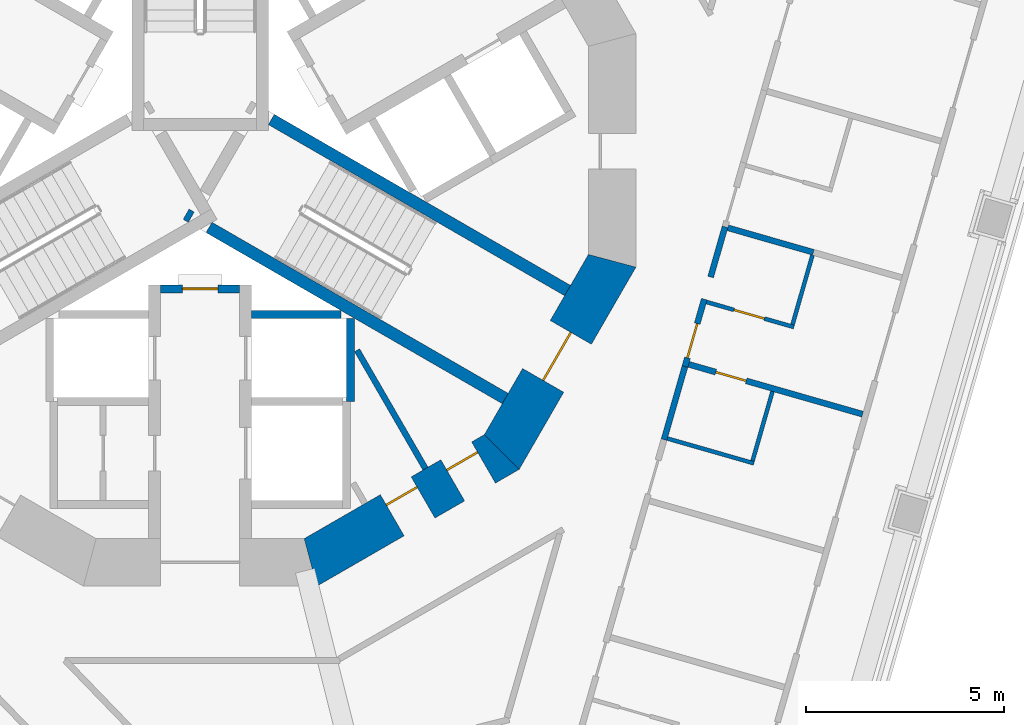
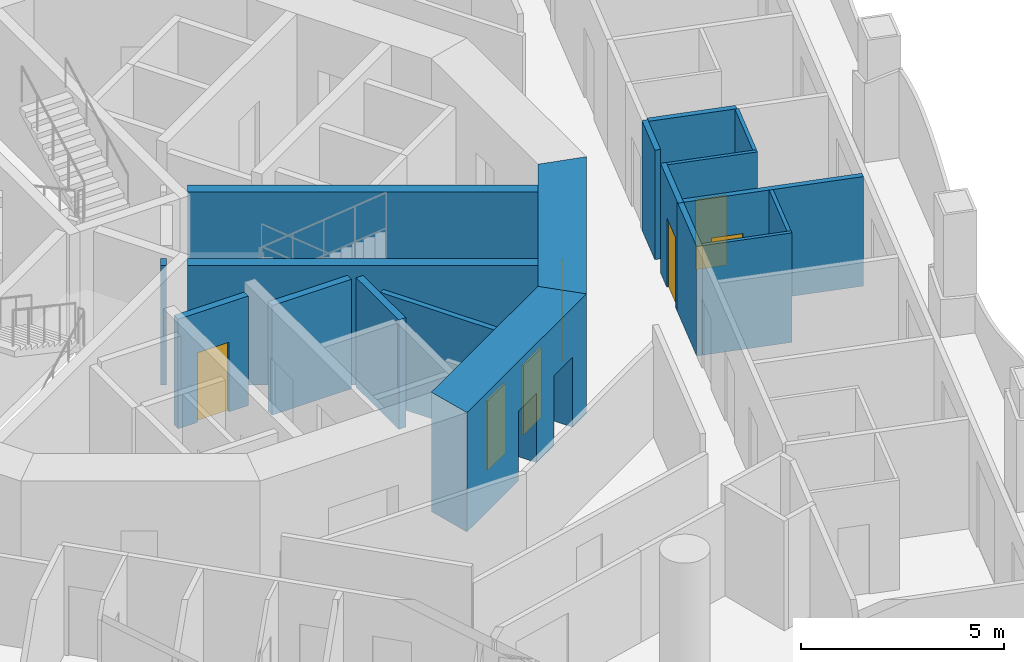
# One storey, part 5 of 20: 18 walls, 7 doors, 7 openings.
"""IFC4 building model written with IfcOpenShell, lengths in metres."""

from ifc_helpers import new_model, si_unit, direction, frame, frame_2d, origin, place, context, subcontext, project, spatial, polyline, rectangle, outline, extrude, material, layer, layer_set, type_object, element, fill, save


model = new_model("IFC4")

# Units and contexts
model_context = context("Model", 3, precision=1e-05, world=origin(), true_north=direction((0.0, 1.0)))
body_context = subcontext(model_context, "Body", "Model", "MODEL_VIEW")
ifc_project = project(units=[si_unit("LENGTHUNIT", "METRE"), si_unit("AREAUNIT", "SQUARE_METRE"), si_unit("VOLUMEUNIT", "CUBIC_METRE"), si_unit("PLANEANGLEUNIT", "RADIAN"), si_unit("MASSUNIT", "GRAM", prefix="KILO")], contexts=[model_context])

# Site, building, storey
site_placement = place(None, origin())
site = spatial("IfcSite", under=ifc_project, at=site_placement, CompositionType="ELEMENT")
building_placement = place(site_placement, origin())
building = spatial("IfcBuilding", under=site, at=building_placement, Name="Trine Commons Tower", CompositionType="ELEMENT")
storey_placement = place(building_placement, frame((0.0, 0.0, 101.699951171875)))
storey = spatial("IfcBuildingStorey", under=building, at=storey_placement, Name="L25", CompositionType="ELEMENT", Elevation=101.699951171875)

# Wall
ifc_material_1 = material(Name="Plasterboard partition on steel studs", Category="steel")
ifc_layer_1 = layer(ifc_material_1, 0.14990234375)
ifc_layer_set_1 = layer_set([ifc_layer_1], Name="Plasterboard partition on steel studs")
wall_type_1 = type_object("IfcWallType", Name="Core room partition 150 mm, EI 60", PredefinedType="PARTITIONING", material=ifc_layer_set_1)
wall_1_placement = place(storey_placement, frame((85.693115234375, 54.4580078125, 0.0), z_axis=(0.0, 0.0, 1.0), x_axis=(-0.500258757272, 0.865875958653, 0.0)))
element("IfcWall", 1, at=wall_1_placement, inside=storey, type_object=wall_type_1, Name="Core room partition L25", PredefinedType="PARTITIONING", context=body_context, shape_type="SweptSolid", body=[
    extrude(rectangle(XDim=3.454345703125, YDim=0.14990234375, at=frame_2d((1.72705078125, 0.0))), origin(), (0.0, 0.0, 1.0), 3.300048828125),
])

# Wall, opening, door
ifc_material_2 = material(Name="Fire-rated gypsum shaft wall system")
ifc_layer_2 = layer(ifc_material_2, 0.199951171875)
ifc_layer_set_2 = layer_set([ifc_layer_2], Name="Fire-rated gypsum shaft wall system")
wall_type_2 = type_object("IfcWallType", Name="Lobby end wall 200 mm, EI 120", PredefinedType="PARTITIONING", material=ifc_layer_set_2)
wall_2_placement = place(storey_placement, frame((79.0, 59.0, 0.0), z_axis=(0.0, 0.0, 1.0), x_axis=(1.0, 0.0, 0.0)))
wall_2 = element("IfcWall", 2, at=wall_2_placement, inside=storey, type_object=wall_type_2, Name="Lobby end wall L25", PredefinedType="PARTITIONING", context=body_context, shape_type="SweptSolid", body=[
    extrude(rectangle(XDim=2.0, YDim=0.199951171875, at=frame_2d((1.0, 0.0))), origin(), (0.0, 0.0, 1.0), 3.300048828125),
])
opening_1_placement = place(wall_2_placement, frame((0.550048828125, 0.0, 0.0)))
opening_1 = element("IfcOpeningElement", 3, at=opening_1_placement, cuts=wall_2, Name="Opening K04.09", PredefinedType="OPENING", context=body_context, shape_type="SweptSolid", body=[
    extrude(rectangle(XDim=0.89990234375, YDim=2.10009765625, at=frame_2d((0.449951171875, 1.050048828125))), frame((0.0, 0.10986328125, 0.0), z_axis=(0.0, -1.0, 0.0), x_axis=(1.0, 0.0, 0.0)), (0.0, 0.0, 1.0), 0.219970703125),
])
ifc_material_3 = material(Name="Steel door leaf, fire-rated", Category="steel")
door_type_1 = type_object("IfcDoorType", Name="Riser access door, single leaf 900 x 2100, FD60", OperationType="SINGLE_SWING_LEFT", PredefinedType="DOOR", material=ifc_material_3)
door_1_placement = place(opening_1_placement, frame((0.89990234375, 0.0, 0.0), z_axis=(0.0, 0.0, 1.0), x_axis=(-1.0, 0.0, 0.0)))
door_1 = element("IfcDoor", 4, at=door_1_placement, inside=storey, type_object=door_type_1, Name="Riser door, Communications riser L25", OperationType="SINGLE_SWING_RIGHT", OverallHeight=2.10009765625, OverallWidth=0.89990234375, PredefinedType="DOOR", context=body_context, shape_type="SweptSolid", body=[
    extrude(rectangle(XDim=0.89990234375, YDim=2.10009765625, at=frame_2d((0.449951171875, 1.050048828125))), frame((0.0, 0.02490234375, 0.0), z_axis=(0.0, -1.0, 0.0), x_axis=(1.0, 0.0, 0.0)), (0.0, 0.0, 1.0), 0.050048828125),
])
fill(opening_1, door_1)

# Wall, openings, doors
ifc_material_4 = material(Name="Concrete C70/85", Category="concrete")
ifc_layer_3 = layer(ifc_material_4, 1.199951171875)
ifc_layer_set_3 = layer_set([ifc_layer_3], Name="Concrete C70/85")
wall_type_3 = type_object("IfcWallType", Name="RC shear wall 1200 mm, C70/85", PredefinedType="SHEAR", material=ifc_layer_set_3)
wall_3_placement = place(storey_placement, frame((82.650390625, 52.008056640625, 0.0), z_axis=(0.0, 0.0, 1.0), x_axis=(0.866037463336, 0.499979111662, 0.0)))
wall_3 = element("IfcWall", 5, at=wall_3_placement, inside=storey, type_object=wall_type_3, Name="Core wall CWC-11 L25", PredefinedType="SHEAR", context=body_context, shape_type="SweptSolid", body=[
    extrude(outline(polyline([(0.0, -0.60009765625), (5.901123046875, -0.60009765625), (5.57958984375, 0.60009765625), (0.321533203125, 0.60009765625), (0.0, -0.60009765625)])), origin(), (0.0, 0.0, 1.0), 3.60009765625),
])
opening_2_placement = place(wall_3_placement, frame((2.543701171875, 0.0, 0.0)))
opening_2 = element("IfcOpeningElement", 6, at=opening_2_placement, cuts=wall_3, Name="Opening K04.16", PredefinedType="OPENING", context=body_context, shape_type="SweptSolid", body=[
    extrude(rectangle(XDim=0.89990234375, YDim=2.10009765625, at=frame_2d((0.449951171875, 1.050048828125))), frame((0.0, 0.60986328125, 0.0), z_axis=(0.0, -1.0, 0.0), x_axis=(1.0, 0.0, 0.0)), (0.0, 0.0, 1.0), 1.219970703125),
])
opening_3_placement = place(wall_3_placement, frame((4.308837890625, 0.0, 0.0)))
opening_3 = element("IfcOpeningElement", 7, at=opening_3_placement, cuts=wall_3, Name="Opening K04.17", PredefinedType="OPENING", context=body_context, shape_type="SweptSolid", body=[
    extrude(rectangle(XDim=0.89990234375, YDim=2.10009765625, at=frame_2d((0.449951171875, 1.050048828125))), frame((0.0, 0.60986328125, 0.0), z_axis=(0.0, -1.0, 0.0), x_axis=(1.0, 0.0, 0.0)), (0.0, 0.0, 1.0), 1.219970703125),
])
door_type_2 = type_object("IfcDoorType", Name="Core room door, single leaf 900 x 2100, FD30S", OperationType="SINGLE_SWING_LEFT", PredefinedType="DOOR", material=ifc_material_3)
door_2_placement = place(opening_2_placement, origin())
door_2 = element("IfcDoor", 8, at=door_2_placement, inside=storey, type_object=door_type_2, Name="Door to Linen store L25", OperationType="SINGLE_SWING_RIGHT", OverallHeight=2.10009765625, OverallWidth=0.89990234375, PredefinedType="DOOR", context=body_context, shape_type="SweptSolid", body=[
    extrude(rectangle(XDim=0.89990234375, YDim=2.10009765625, at=frame_2d((0.449951171875, 1.050048828125))), frame((0.0, 0.3251953125, 0.0), z_axis=(0.0, -1.0, 0.0), x_axis=(1.0, 0.0, 0.0)), (0.0, 0.0, 1.0), 0.050048828125),
])
fill(opening_2, door_2)
door_3_placement = place(opening_3_placement, origin())
door_3 = element("IfcDoor", 9, at=door_3_placement, inside=storey, type_object=door_type_2, Name="Door to Pantry L25", OperationType="SINGLE_SWING_RIGHT", OverallHeight=2.10009765625, OverallWidth=0.89990234375, PredefinedType="DOOR", context=body_context, shape_type="SweptSolid", body=[
    extrude(rectangle(XDim=0.89990234375, YDim=2.10009765625, at=frame_2d((0.449951171875, 1.050048828125))), frame((0.0, 0.3251953125, 0.0), z_axis=(0.0, -1.0, 0.0), x_axis=(1.0, 0.0, 0.0)), (0.0, 0.0, 1.0), 0.050048828125),
])
fill(opening_3, door_3)

# Wall, opening, door
wall_4_placement = place(storey_placement, frame((87.54150390625, 54.739013671875, 0.0), z_axis=(0.0, 0.0, 1.0), x_axis=(0.499979111662, 0.866037463336, 0.0)))
wall_4 = element("IfcWall", 10, at=wall_4_placement, inside=storey, type_object=wall_type_3, Name="Core wall CWC-12 L25", PredefinedType="SHEAR", context=body_context, shape_type="SweptSolid", body=[
    extrude(outline(polyline([(0.0, -0.60009765625), (5.901123046875, -0.60009765625), (5.57958984375, 0.60009765625), (0.321533203125, 0.60009765625), (0.0, -0.60009765625)])), origin(), (0.0, 0.0, 1.0), 3.60009765625),
])
opening_4_placement = place(wall_4_placement, frame((2.25048828125, 0.0, 0.0)))
opening_4 = element("IfcOpeningElement", 11, at=opening_4_placement, cuts=wall_4, Name="Opening K04.03", PredefinedType="OPENING", context=body_context, shape_type="SweptSolid", body=[
    extrude(rectangle(XDim=1.39990234375, YDim=2.10009765625, at=frame_2d((0.699951171875, 1.050048828125))), frame((0.0, 0.60986328125, 0.0), z_axis=(0.0, -1.0, 0.0), x_axis=(1.0, 0.0, 0.0)), (0.0, 0.0, 1.0), 1.219970703125),
])
ifc_material_5 = material(Name="Steel door leaves, fire-rated", Category="steel")
door_type_3 = type_object("IfcDoorType", Name="Stair door, double leaf 1400 x 2100, FD90", OperationType="DOUBLE_DOOR_SINGLE_SWING", PredefinedType="DOOR", material=ifc_material_5)
door_4_placement = place(opening_4_placement, origin())
door_4 = element("IfcDoor", 12, at=door_4_placement, inside=storey, type_object=door_type_3, Name="Stair door to Exit stair ST3A L25", OperationType="DOUBLE_DOOR_SINGLE_SWING", OverallHeight=2.10009765625, OverallWidth=1.39990234375, PredefinedType="DOOR", context=body_context, shape_type="SweptSolid", body=[
    extrude(rectangle(XDim=1.39990234375, YDim=2.10009765625, at=frame_2d((0.699951171875, 1.050048828125))), frame((0.0, 0.02490234375, 0.0), z_axis=(0.0, -1.0, 0.0), x_axis=(1.0, 0.0, 0.0)), (0.0, 0.0, 1.0), 0.050048828125),
])
fill(opening_4, door_4)

# Walls
ifc_layer_4 = layer(ifc_material_4, 0.300048828125)
ifc_layer_set_4 = layer_set([ifc_layer_4], Name="Concrete C70/85")
wall_type_4 = type_object("IfcWallType", Name="RC shear wall 300 mm, C70/85", PredefinedType="SHEAR", material=ifc_layer_set_4)
wall_5_placement = place(storey_placement, frame((79.64599609375, 60.885986328125, 0.0), z_axis=(0.0, 0.0, 1.0), x_axis=(0.867331893649, -0.497730234424, 0.0)))
element("IfcWall", 13, at=wall_5_placement, inside=storey, type_object=wall_type_4, Name="Core cross wall SWA-11 L25", PredefinedType="SHEAR", context=body_context, shape_type="SweptSolid", body=[
    extrude(rectangle(XDim=0.148681640625, YDim=0.300048828125, at=frame_2d((0.07421875, 0.0))), origin(), (0.0, 0.0, 1.0), 3.60009765625),
])
for number, where, z_axis, x_axis, name in (
    (14, (80.22509765625, 60.552001953125, 0.0), (0.0, 0.0, 1.0), (0.865965399159, -0.500103916661, 0.0), "Core cross wall SWA-13 L25"),
    (15, (81.800048828125, 63.280029296875, 0.0), (0.0, 0.0, 1.0), (0.865965399159, -0.500103916661, 0.0), "Core cross wall SWA-18 L25"),
):
    element("IfcWall", number, at=place(storey_placement, frame(where, z_axis=z_axis, x_axis=x_axis)), inside=storey, type_object=wall_type_4, Name=name, PredefinedType="SHEAR", context=body_context, shape_type="SweptSolid", body=[
        extrude(rectangle(XDim=8.642333984375, YDim=0.300048828125, at=frame_2d((4.3212890625, 0.0))), origin(), (0.0, 0.0, 1.0), 3.60009765625),
    ])
ifc_layer_5 = layer(ifc_material_2, 0.199951171875)
ifc_layer_set_5 = layer_set([ifc_layer_5], Name="Fire-rated gypsum shaft wall system")
wall_type_5 = type_object("IfcWallType", Name="Shaft wall 200 mm, EI 120", PredefinedType="PARTITIONING", material=ifc_layer_set_5)
wall_6_placement = place(storey_placement, frame((81.300048828125, 58.35009765625, 0.0), z_axis=(0.0, 0.0, 1.0), x_axis=(1.0, 0.0, 0.0)))
element("IfcWall", 16, at=wall_6_placement, inside=storey, type_object=wall_type_5, Name="Shaft wall L25", PredefinedType="PARTITIONING", context=body_context, shape_type="SweptSolid", body=[
    extrude(rectangle(XDim=2.264892578125, YDim=0.199951171875, at=frame_2d((1.13232421875, 0.0))), origin(), (0.0, 0.0, 1.0), 3.300048828125),
])
wall_7_placement = place(storey_placement, frame((83.800048828125, 58.256103515625, 0.0), z_axis=(0.0, 0.0, 1.0), x_axis=(0.0, -1.0, 0.0)))
element("IfcWall", 17, at=wall_7_placement, inside=storey, type_object=wall_type_5, Name="Shaft wall L25", PredefinedType="PARTITIONING", context=body_context, shape_type="SweptSolid", body=[
    extrude(rectangle(XDim=2.106201171875, YDim=0.199951171875, at=frame_2d((1.05322265625, 0.0))), origin(), (0.0, 0.0, 1.0), 3.300048828125),
])
ifc_material_6 = material(Name="Gypsum plasterboard on steel stud", Category="steel")
ifc_layer_6 = layer(ifc_material_6, 0.14990234375)
ifc_layer_set_6 = layer_set([ifc_layer_6], Name="Gypsum plasterboard on steel stud")
wall_type_6 = type_object("IfcWallType", Name="Unit and corridor wall 150 mm, EI 60", PredefinedType="PARTITIONING", material=ifc_layer_set_6)
wall_8_placement = place(storey_placement, frame((91.72021484375, 55.18798828125, 0.0), z_axis=(0.0, 0.0, 1.0), x_axis=(0.275331431245, 0.961349365719, 0.0)))
element("IfcWall", 18, at=wall_8_placement, inside=storey, type_object=wall_type_6, Name="Partition 120", PredefinedType="PARTITIONING", context=body_context, shape_type="SweptSolid", body=[
    extrude(rectangle(XDim=2.007568359375, YDim=0.14990234375, at=frame_2d((1.00390625, 0.0))), origin(), (0.0, 0.0, 1.0), 3.300048828125),
])

# Wall, opening, door
wall_9_placement = place(storey_placement, frame((92.250244140625, 57.037841796875, 0.0), z_axis=(0.0, 0.0, 1.0), x_axis=(0.275685406423, 0.961247916349, 0.0)))
wall_9 = element("IfcWall", 19, at=wall_9_placement, inside=storey, type_object=wall_type_6, Name="Partition 122", PredefinedType="PARTITIONING", context=body_context, shape_type="SweptSolid", body=[
    extrude(rectangle(XDim=1.77197265625, YDim=0.14990234375, at=frame_2d((0.885986328125, 0.0))), origin(), (0.0, 0.0, 1.0), 3.300048828125),
])
opening_5_placement = place(wall_9_placement, frame((0.22900390625, 0.0, 0.0)))
opening_5 = element("IfcOpeningElement", 20, at=opening_5_placement, cuts=wall_9, Name="Opening D-3B21", PredefinedType="OPENING", context=body_context, shape_type="SweptSolid", body=[
    extrude(rectangle(XDim=0.89990234375, YDim=2.10009765625, at=frame_2d((0.449951171875, 1.050048828125))), frame((0.0, 0.0849609375, 0.0), z_axis=(0.0, -1.0, 0.0), x_axis=(1.0, 0.0, 0.0)), (0.0, 0.0, 1.0), 0.169921875),
])
ifc_material_7 = material(Name="Timber fire door set", Category="wood")
door_type_4 = type_object("IfcDoorType", Name="Bedroom door 900 x 2100, FD30S", OperationType="NOTDEFINED", PredefinedType="DOOR", material=ifc_material_7)
door_5_placement = place(opening_5_placement, frame((0.89990234375, 0.0, 0.0), z_axis=(0.0, 0.0, 1.0), x_axis=(-1.0, 0.0, 0.0)))
door_5 = element("IfcDoor", 21, at=door_5_placement, inside=storey, type_object=door_type_4, Name="Door D-3B21", OperationType="SINGLE_SWING_RIGHT", OverallHeight=2.10009765625, OverallWidth=0.89990234375, PredefinedType="DOOR", context=body_context, shape_type="SweptSolid", body=[
    extrude(rectangle(XDim=0.89990234375, YDim=2.10009765625, at=frame_2d((0.449951171875, 1.050048828125))), frame((0.0, 0.02490234375, 0.0), z_axis=(0.0, -1.0, 0.0), x_axis=(1.0, 0.0, 0.0)), (0.0, 0.0, 1.0), 0.050048828125),
])
fill(opening_5, door_5)

wall_10_placement = place(storey_placement, frame((92.343994140625, 57.09326171875, 0.0), z_axis=(0.0, 0.0, 1.0), x_axis=(0.961269673231, -0.275609534171, 0.0)))
wall_10 = element("IfcWall", 22, at=wall_10_placement, inside=storey, type_object=wall_type_6, Name="Partition 123", PredefinedType="PARTITIONING", context=body_context, shape_type="SweptSolid", body=[
    extrude(rectangle(XDim=4.572509765625, YDim=0.14990234375, at=frame_2d((2.2861328125, 0.0))), origin(), (0.0, 0.0, 1.0), 3.300048828125),
])
opening_6_placement = place(wall_10_placement, frame((0.712646484375, 0.0, 0.0)))
opening_6 = element("IfcOpeningElement", 23, at=opening_6_placement, cuts=wall_10, Name="Opening D-3B55", PredefinedType="OPENING", context=body_context, shape_type="SweptSolid", body=[
    extrude(rectangle(XDim=0.800048828125, YDim=2.10009765625, at=frame_2d((0.39990234375, 1.050048828125))), frame((0.0, 0.0849609375, 0.0), z_axis=(0.0, -1.0, 0.0), x_axis=(1.0, 0.0, 0.0)), (0.0, 0.0, 1.0), 0.169921875),
])
ifc_material_8 = material(Name="Painted timber", Category="wood")
door_type_5 = type_object("IfcDoorType", Name="Internal door 800 x 2100, NOT RATED", OperationType="NOTDEFINED", PredefinedType="DOOR", material=ifc_material_8)
door_6_placement = place(opening_6_placement, origin())
door_6 = element("IfcDoor", 24, at=door_6_placement, inside=storey, type_object=door_type_5, Name="Door D-3B55", OperationType="SINGLE_SWING_LEFT", OverallHeight=2.10009765625, OverallWidth=0.800048828125, PredefinedType="DOOR", context=body_context, shape_type="SweptSolid", body=[
    extrude(rectangle(XDim=0.800048828125, YDim=2.10009765625, at=frame_2d((0.39990234375, 1.050048828125))), frame((0.0, 0.02490234375, 0.0), z_axis=(0.0, -1.0, 0.0), x_axis=(1.0, 0.0, 0.0)), (0.0, 0.0, 1.0), 0.050048828125),
])
fill(opening_6, door_6)

# Walls
wall_11_placement = place(storey_placement, frame((92.89892578125, 59.299072265625, 0.0), z_axis=(0.0, 0.0, 1.0), x_axis=(0.275722362281, 0.961237316659, 0.0)))
element("IfcWall", 25, at=wall_11_placement, inside=storey, type_object=wall_type_6, Name="Partition 127", PredefinedType="PARTITIONING", context=body_context, shape_type="SweptSolid", body=[
    extrude(rectangle(XDim=1.3203125, YDim=0.14990234375, at=frame_2d((0.66015625, 0.0))), origin(), (0.0, 0.0, 1.0), 3.300048828125),
])
wall_12_placement = place(storey_placement, frame((93.3330078125, 60.543212890625, 0.0), z_axis=(0.0, 0.0, 1.0), x_axis=(0.96127791106, -0.275580800688, 0.0)))
element("IfcWall", 26, at=wall_12_placement, inside=storey, type_object=wall_type_6, Name="Partition 129", PredefinedType="PARTITIONING", context=body_context, shape_type="SweptSolid", body=[
    extrude(rectangle(XDim=2.250244140625, YDim=0.14990234375, at=frame_2d((1.125, 0.0))), origin(), (0.0, 0.0, 1.0), 3.300048828125),
])
ifc_layer_7 = layer(ifc_material_6, 0.10009765625)
ifc_layer_set_7 = layer_set([ifc_layer_7], Name="Gypsum plasterboard on steel stud")
wall_type_7 = type_object("IfcWallType", Name="Unit partition 100 mm, no rating", PredefinedType="PARTITIONING", material=ifc_layer_set_7)
wall_13_placement = place(storey_placement, frame((91.80615234375, 55.21923828125, 0.0), z_axis=(0.0, 0.0, 1.0), x_axis=(0.961280606162, -0.275571399489, 0.0)))
element("IfcWall", 27, at=wall_13_placement, inside=storey, type_object=wall_type_7, Name="Partition 121", PredefinedType="PARTITIONING", context=body_context, shape_type="SweptSolid", body=[
    extrude(rectangle(XDim=2.275146484375, YDim=0.10009765625, at=frame_2d((1.1376953125, 0.0))), origin(), (0.0, 0.0, 1.0), 3.300048828125),
])

# Wall, opening, door
wall_14_placement = place(storey_placement, frame((92.795166015625, 58.668212890625, 0.0), z_axis=(0.0, 0.0, 1.0), x_axis=(0.961270855658, -0.275605410075, 0.0)))
wall_14 = element("IfcWall", 28, at=wall_14_placement, inside=storey, type_object=wall_type_7, Name="Partition 125", PredefinedType="PARTITIONING", context=body_context, shape_type="SweptSolid", body=[
    extrude(rectangle(XDim=2.296875, YDim=0.10009765625, at=frame_2d((1.1484375, 0.0))), origin(), (0.0, 0.0, 1.0), 3.300048828125),
])
opening_7_placement = place(wall_14_placement, frame((0.723388671875, 0.0, 0.0)))
opening_7 = element("IfcOpeningElement", 29, at=opening_7_placement, cuts=wall_14, Name="Opening D-3B54", PredefinedType="OPENING", context=body_context, shape_type="SweptSolid", body=[
    extrude(rectangle(XDim=0.800048828125, YDim=2.10009765625, at=frame_2d((0.39990234375, 1.050048828125))), frame((0.0, 0.06005859375, 0.0), z_axis=(0.0, -1.0, 0.0), x_axis=(1.0, 0.0, 0.0)), (0.0, 0.0, 1.0), 0.1201171875),
])
door_7_placement = place(opening_7_placement, frame((0.800048828125, 0.0, 0.0), z_axis=(0.0, 0.0, 1.0), x_axis=(-1.0, 0.0, 0.0)))
door_7 = element("IfcDoor", 30, at=door_7_placement, inside=storey, type_object=door_type_5, Name="Door D-3B54", OperationType="SINGLE_SWING_RIGHT", OverallHeight=2.10009765625, OverallWidth=0.800048828125, PredefinedType="DOOR", context=body_context, shape_type="SweptSolid", body=[
    extrude(rectangle(XDim=0.800048828125, YDim=2.10009765625, at=frame_2d((0.39990234375, 1.050048828125))), frame((0.0, 0.02490234375, 0.0), z_axis=(0.0, -1.0, 0.0), x_axis=(1.0, 0.0, 0.0)), (0.0, 0.0, 1.0), 0.050048828125),
])
fill(opening_7, door_7)

# Walls
wall_15_placement = place(storey_placement, frame((93.958740234375, 54.654052734375, 0.0), z_axis=(0.0, 0.0, 1.0), x_axis=(0.276010827841, 0.961154526034, 0.0)))
element("IfcWall", 31, at=wall_15_placement, inside=storey, type_object=wall_type_7, Name="Partition 134", PredefinedType="PARTITIONING", context=body_context, shape_type="SweptSolid", body=[
    extrude(rectangle(XDim=1.82470703125, YDim=0.10009765625, at=frame_2d((0.912353515625, 0.0))), origin(), (0.0, 0.0, 1.0), 3.300048828125),
])
wall_16_placement = place(storey_placement, frame((94.96875, 58.09716796875, 0.0), z_axis=(0.0, 0.0, 1.0), x_axis=(0.275410043063, 0.961326847737, 0.0)))
element("IfcWall", 32, at=wall_16_placement, inside=storey, type_object=wall_type_7, Name="Partition 138", PredefinedType="PARTITIONING", context=body_context, shape_type="SweptSolid", body=[
    extrude(rectangle(XDim=1.8251953125, YDim=0.10009765625, at=frame_2d((0.91259765625, 0.0))), origin(), (0.0, 0.0, 1.0), 3.300048828125),
])

save(model, "model.ifc")
